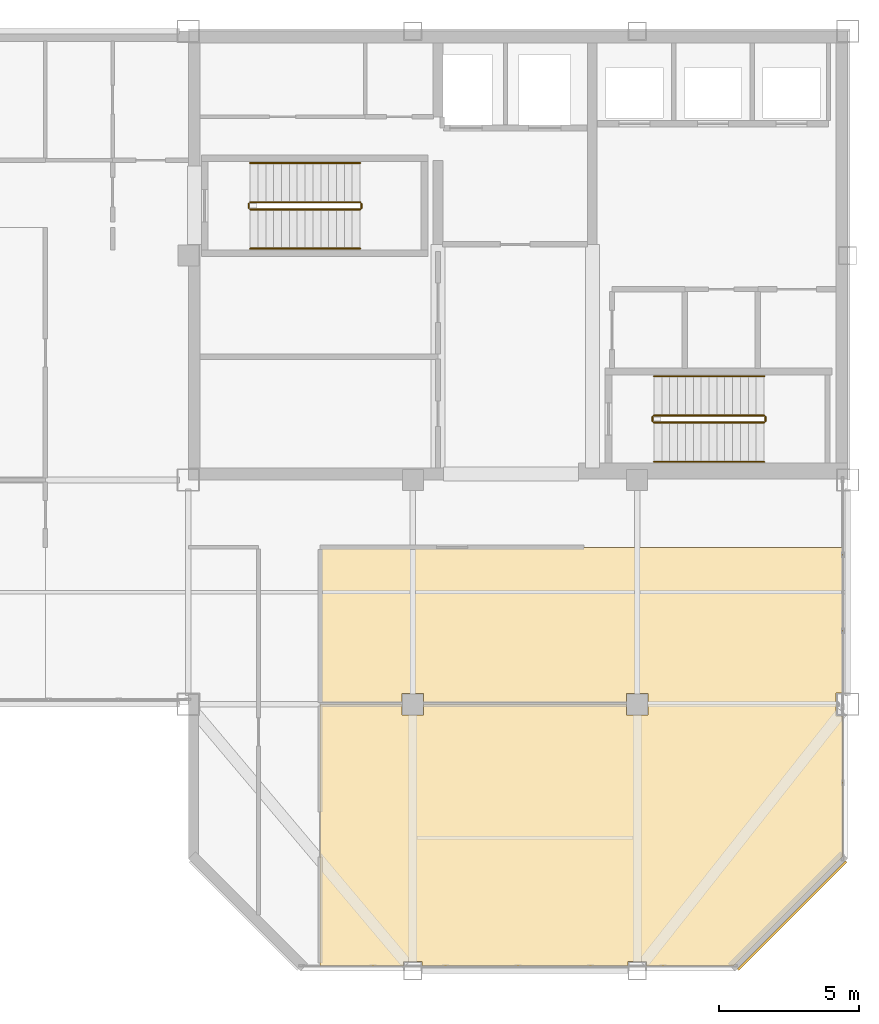
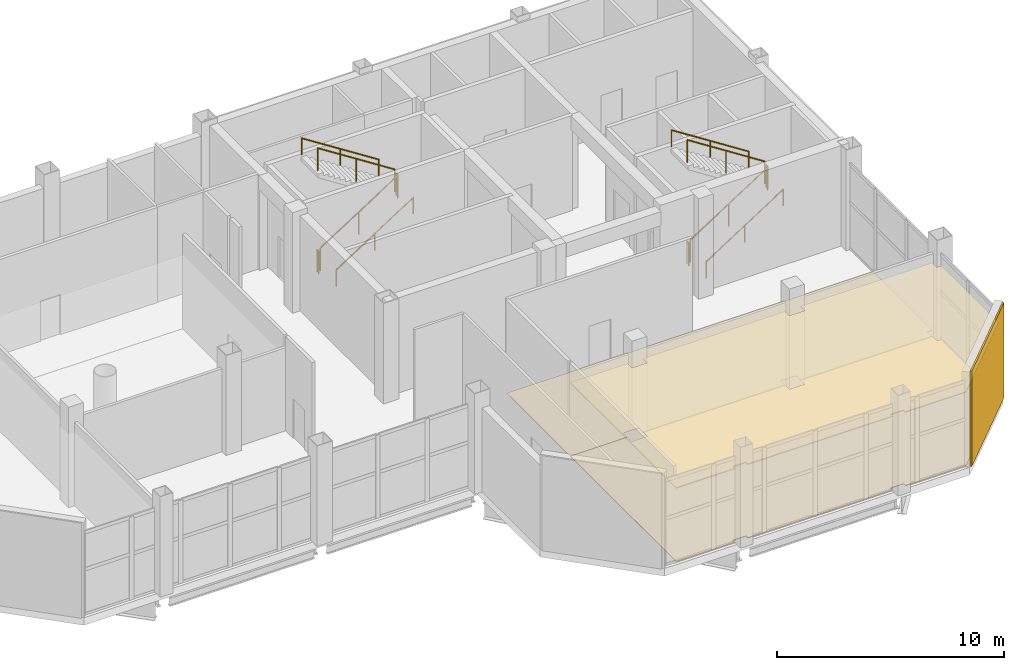
# One storey, part 16 of 17: 12 railings, 4 coverings.
"""IFC4 building model written with IfcOpenShell, lengths in metres."""

from ifc_helpers import new_model, si_unit, direction, frame, origin, origin_2d, place, context, subcontext, project, spatial, polyline, rectangle, circle, outline, extrude, material, layer, layer_set, type_object, element, save


model = new_model("IFC4")

# Units and contexts
model_context = context("Model", 3, precision=1e-05, world=origin(), true_north=direction((0.0, 1.0)))
body_context = subcontext(model_context, "Body", "Model", "MODEL_VIEW")
ifc_project = project(units=[si_unit("LENGTHUNIT", "METRE"), si_unit("AREAUNIT", "SQUARE_METRE"), si_unit("VOLUMEUNIT", "CUBIC_METRE"), si_unit("PLANEANGLEUNIT", "RADIAN"), si_unit("MASSUNIT", "GRAM", prefix="KILO")], contexts=[model_context])

# Site, building, storey
site_placement = place(None, origin())
site = spatial("IfcSite", under=ifc_project, at=site_placement, CompositionType="ELEMENT")
building_placement = place(site_placement, origin())
building = spatial("IfcBuilding", under=site, at=building_placement, Name="Qianrong Seaharbour Tower", CompositionType="ELEMENT")
storey_placement = place(building_placement, frame((0.0, 0.0, 373.0)))
storey = spatial("IfcBuildingStorey", under=building, at=storey_placement, Name="L90", CompositionType="ELEMENT", Elevation=373.0)

# Coverings
ifc_material_1 = material(Name="Perforated acoustic gypsum ceiling board")
ifc_layer_1 = layer(ifc_material_1, 0.050048828125)
ifc_layer_set_1 = layer_set([ifc_layer_1], Name="Perforated acoustic gypsum ceiling board")
covering_type_1 = type_object("IfcCoveringType", Name="COV-CEIL-GYPSUM-50", PredefinedType="CEILING", material=ifc_layer_set_1)
covering_1_placement = place(storey_placement, frame((0.0, 0.0, 3.93994140625)))
element("IfcCovering", 1, at=covering_1_placement, inside=storey, type_object=covering_type_1, Name="L90 Lantern Sky Bistro Acoustic Ceiling", PredefinedType="CEILING", context=body_context, shape_type="SweptSolid", body=[
    extrude(outline(polyline([(63.824951171875, 22.572509765625), (59.927490234375, 18.675048828125), (56.8349609375, 18.675048828125), (56.8349609375, 18.8349609375), (56.1650390625, 18.8349609375), (56.1650390625, 18.675048828125), (48.8349609375, 18.675048828125), (48.8349609375, 18.8349609375), (48.1650390625, 18.8349609375), (48.1650390625, 18.675048828125), (45.199951171875, 18.675048828125), (45.199951171875, 28.0), (48.114990234375, 28.0), (48.114990234375, 27.614990234375), (48.885009765625, 27.614990234375), (48.885009765625, 28.0), (56.114990234375, 28.0), (56.114990234375, 27.614990234375), (56.885009765625, 27.614990234375), (56.885009765625, 28.0), (63.590087890625, 28.0), (63.590087890625, 27.590087890625), (63.824951171875, 27.590087890625), (63.824951171875, 22.572509765625)])), origin(), (0.0, 0.0, 1.0), 0.050048828125),
])
ifc_material_2 = material(Name="Unitised red brick cladding on Precast concrete C45/55", Category="masonry")
ifc_layer_2 = layer(ifc_material_2, 0.080078125)
ifc_layer_set_2 = layer_set([ifc_layer_2], Name="Unitised red brick cladding on Precast concrete C45/55")
covering_type_2 = type_object("IfcCoveringType", Name="COV-CLAD-RED-BRICK-80", PredefinedType="CLADDING", material=ifc_layer_set_2)
covering_2_placement = place(storey_placement, frame((62.0283203125, 20.4716796875, 0.0), z_axis=(0.0, 0.0, 1.0), x_axis=(-0.707106781187, -0.707106781187, 0.0)))
element("IfcCovering", 2, at=covering_2_placement, inside=storey, type_object=covering_type_2, Name="L90 Chamfer Corner Brick Cladding 07", PredefinedType="CLADDING", context=body_context, shape_type="SweptSolid", body=[
    extrude(rectangle(XDim=5.456787109375, YDim=0.080078125, at=origin_2d()), origin(), (0.0, 0.0, 1.0), 5.110107421875),
])
ifc_material_3 = material(Name="Acoustic modular carpet tile flooring")
ifc_layer_3 = layer(ifc_material_3, 0.02001953125)
ifc_layer_set_3 = layer_set([ifc_layer_3], Name="Acoustic modular carpet tile flooring")
covering_type_3 = type_object("IfcCoveringType", Name="COV-FLOOR-CARPET-20", PredefinedType="FLOORING", material=ifc_layer_set_3)
covering_3_placement = place(storey_placement, origin())
element("IfcCovering", 3, at=covering_3_placement, inside=storey, type_object=covering_type_3, Name="L90 Maritime History Briefing Room Finish Flooring", PredefinedType="FLOORING", context=body_context, shape_type="SweptSolid", body=[
    extrude(outline(polyline([(63.824951171875, 33.60009765625), (63.824951171875, 28.409912109375), (63.590087890625, 28.409912109375), (63.590087890625, 28.0), (56.885009765625, 28.0), (56.885009765625, 28.385009765625), (56.114990234375, 28.385009765625), (56.114990234375, 28.0), (48.885009765625, 28.0), (48.885009765625, 28.385009765625), (48.114990234375, 28.385009765625), (48.114990234375, 28.0), (45.199951171875, 28.0), (45.199951171875, 33.60009765625), (63.824951171875, 33.60009765625)])), origin(), (0.0, 0.0, 1.0), 0.02001953125),
])
ifc_material_4 = material(Name="Honed granite stone flooring", Category="masonry")
ifc_layer_4 = layer(ifc_material_4, 0.030029296875)
ifc_layer_set_4 = layer_set([ifc_layer_4], Name="Honed granite stone flooring")
covering_type_4 = type_object("IfcCoveringType", Name="COV-FLOOR-GRANITE-30", PredefinedType="FLOORING", material=ifc_layer_set_4)
covering_4_placement = place(storey_placement, origin())
element("IfcCovering", 4, at=covering_4_placement, inside=storey, type_object=covering_type_4, Name="L90 Lantern Sky Bistro Finish Flooring", PredefinedType="FLOORING", context=body_context, shape_type="SweptSolid", body=[
    extrude(outline(polyline([(63.824951171875, 22.572509765625), (59.927490234375, 18.675048828125), (56.8349609375, 18.675048828125), (56.8349609375, 18.8349609375), (56.1650390625, 18.8349609375), (56.1650390625, 18.675048828125), (48.8349609375, 18.675048828125), (48.8349609375, 18.8349609375), (48.1650390625, 18.8349609375), (48.1650390625, 18.675048828125), (45.199951171875, 18.675048828125), (45.199951171875, 28.0), (48.114990234375, 28.0), (48.114990234375, 27.614990234375), (48.885009765625, 27.614990234375), (48.885009765625, 28.0), (56.114990234375, 28.0), (56.114990234375, 27.614990234375), (56.885009765625, 27.614990234375), (56.885009765625, 28.0), (63.590087890625, 28.0), (63.590087890625, 27.590087890625), (63.824951171875, 27.590087890625), (63.824951171875, 22.572509765625)])), origin(), (0.0, 0.0, 1.0), 0.030029296875),
])

# Railings
ifc_material_5 = material(Name="Galvanized painted steel SN400B stair guard", Category="steel")
railing_type_1 = type_object("IfcRailingType", Name="RAIL-STAIR-GUARD-1220", PredefinedType="GUARDRAIL", material=ifc_material_5)
railing_1_placement = place(storey_placement, frame((42.699951171875, 45.64990234375, 0.179931640625)))
element("IfcRailing", 5, at=railing_1_placement, inside=storey, type_object=railing_type_1, Name="L90 ST-1 stair guard 1", PredefinedType="GUARDRAIL", context=body_context, shape_type="SweptSolid", body=[
    extrude(circle(Radius=0.02392578125, at=origin_2d()), frame((0.0, 0.0, 1.19580078125), z_axis=(0.841186985886, 0.0, 0.540744352514), x_axis=(0.0, 1.0, 0.0)), (0.0, 0.0, 1.0), 4.660400390625),
    extrude(circle(Radius=0.02099609375, at=origin_2d()), origin(), (0.0, 0.0, 1.0), 1.171875),
    extrude(circle(Radius=0.02099609375, at=origin_2d()), frame((1.9599609375, 0.0, 1.260009765625)), (0.0, 0.0, 1.0), 1.171875),
    extrude(circle(Radius=0.02099609375, at=origin_2d()), frame((3.920166015625, 0.0, 2.52001953125)), (0.0, 0.0, 1.0), 1.171875),
])
railing_2_placement = place(storey_placement, frame((46.669921875, 45.699951171875, 2.699951171875)))
element("IfcRailing", 6, at=railing_2_placement, inside=storey, type_object=railing_type_1, Name="L90 ST-1 stair guard 2", PredefinedType="GUARDRAIL", context=body_context, shape_type="SweptSolid", body=[
    extrude(circle(Radius=0.02392578125, at=origin_2d()), frame((0.0, 0.0, 1.19580078125), z_axis=(0.0, 1.0, 0.0), x_axis=(-1.0, 0.0, 0.0)), (0.0, 0.0, 1.0), 0.150146484375),
    extrude(circle(Radius=0.02099609375, at=origin_2d()), origin(), (0.0, 0.0, 1.0), 1.171875),
    extrude(circle(Radius=0.02099609375, at=origin_2d()), frame((0.0, 0.150146484375, 0.0)), (0.0, 0.0, 1.0), 1.171875),
])
railing_3_placement = place(storey_placement, frame((46.6201171875, 45.89990234375, 2.8798828125)))
element("IfcRailing", 7, at=railing_3_placement, inside=storey, type_object=railing_type_1, Name="L90 ST-1 stair guard 3", PredefinedType="GUARDRAIL", context=body_context, shape_type="SweptSolid", body=[
    extrude(circle(Radius=0.02392578125, at=origin_2d()), frame((0.0, 0.0, 1.19580078125), z_axis=(-0.841186985886, 0.0, 0.540744352514), x_axis=(0.0, -1.0, 0.0)), (0.0, 0.0, 1.0), 4.660400390625),
    extrude(circle(Radius=0.02099609375, at=origin_2d()), origin(), (0.0, 0.0, 1.0), 1.171875),
    extrude(circle(Radius=0.02099609375, at=origin_2d()), frame((-1.9599609375, 0.0, 1.260009765625)), (0.0, 0.0, 1.0), 1.171875),
    extrude(circle(Radius=0.02099609375, at=origin_2d()), frame((-3.920166015625, 0.0, 2.52001953125)), (0.0, 0.0, 1.0), 1.171875),
])
railing_4_placement = place(storey_placement, frame((42.64990234375, 45.699951171875, 0.0)))
element("IfcRailing", 8, at=railing_4_placement, inside=storey, type_object=railing_type_1, Name="L90 ST-1 stair guard 4", PredefinedType="GUARDRAIL", context=body_context, shape_type="SweptSolid", body=[
    extrude(circle(Radius=0.02392578125, at=origin_2d()), frame((0.0, 0.0, 1.19580078125), z_axis=(0.0, 1.0, 0.0), x_axis=(-1.0, 0.0, 0.0)), (0.0, 0.0, 1.0), 0.150146484375),
    extrude(circle(Radius=0.02099609375, at=origin_2d()), origin(), (0.0, 0.0, 1.0), 1.171875),
    extrude(circle(Radius=0.02099609375, at=origin_2d()), frame((0.0, 0.150146484375, 0.0)), (0.0, 0.0, 1.0), 1.171875),
])
railing_5_placement = place(storey_placement, frame((57.10009765625, 38.050048828125, 0.179931640625)))
element("IfcRailing", 9, at=railing_5_placement, inside=storey, type_object=railing_type_1, Name="L90 ST-2 stair guard 1", PredefinedType="GUARDRAIL", context=body_context, shape_type="SweptSolid", body=[
    extrude(circle(Radius=0.02392578125, at=origin_2d()), frame((0.0, 0.0, 1.19580078125), z_axis=(0.841171666519, 0.0, 0.540768182723), x_axis=(0.0, 1.0, 0.0)), (0.0, 0.0, 1.0), 4.66015625),
    extrude(circle(Radius=0.02099609375, at=origin_2d()), origin(), (0.0, 0.0, 1.0), 1.171875),
    extrude(circle(Radius=0.02099609375, at=origin_2d()), frame((1.9599609375, 0.0, 1.260009765625)), (0.0, 0.0, 1.0), 1.171875),
    extrude(circle(Radius=0.02099609375, at=origin_2d()), frame((3.919921875, 0.0, 2.52001953125)), (0.0, 0.0, 1.0), 1.171875),
])
railing_6_placement = place(storey_placement, frame((61.070068359375, 38.10009765625, 2.699951171875)))
element("IfcRailing", 10, at=railing_6_placement, inside=storey, type_object=railing_type_1, Name="L90 ST-2 stair guard 2", PredefinedType="GUARDRAIL", context=body_context, shape_type="SweptSolid", body=[
    extrude(circle(Radius=0.02392578125, at=origin_2d()), frame((0.0, 0.0, 1.19580078125), z_axis=(0.0, 1.0, 0.0), x_axis=(-1.0, 0.0, 0.0)), (0.0, 0.0, 1.0), 0.14990234375),
    extrude(circle(Radius=0.02099609375, at=origin_2d()), origin(), (0.0, 0.0, 1.0), 1.171875),
    extrude(circle(Radius=0.02099609375, at=origin_2d()), frame((0.0, 0.14990234375, 0.0)), (0.0, 0.0, 1.0), 1.171875),
])
railing_7_placement = place(storey_placement, frame((61.02001953125, 38.300048828125, 2.8798828125)))
element("IfcRailing", 11, at=railing_7_placement, inside=storey, type_object=railing_type_1, Name="L90 ST-2 stair guard 3", PredefinedType="GUARDRAIL", context=body_context, shape_type="SweptSolid", body=[
    extrude(circle(Radius=0.02392578125, at=origin_2d()), frame((0.0, 0.0, 1.19580078125), z_axis=(-0.841171666519, 0.0, 0.540768182723), x_axis=(0.0, -1.0, 0.0)), (0.0, 0.0, 1.0), 4.66015625),
    extrude(circle(Radius=0.02099609375, at=origin_2d()), origin(), (0.0, 0.0, 1.0), 1.171875),
    extrude(circle(Radius=0.02099609375, at=origin_2d()), frame((-1.9599609375, 0.0, 1.260009765625)), (0.0, 0.0, 1.0), 1.171875),
    extrude(circle(Radius=0.02099609375, at=origin_2d()), frame((-3.919921875, 0.0, 2.52001953125)), (0.0, 0.0, 1.0), 1.171875),
])
railing_8_placement = place(storey_placement, frame((57.050048828125, 38.10009765625, 0.0)))
element("IfcRailing", 12, at=railing_8_placement, inside=storey, type_object=railing_type_1, Name="L90 ST-2 stair guard 4", PredefinedType="GUARDRAIL", context=body_context, shape_type="SweptSolid", body=[
    extrude(circle(Radius=0.02392578125, at=origin_2d()), frame((0.0, 0.0, 1.19580078125), z_axis=(0.0, 1.0, 0.0), x_axis=(-1.0, 0.0, 0.0)), (0.0, 0.0, 1.0), 0.14990234375),
    extrude(circle(Radius=0.02099609375, at=origin_2d()), origin(), (0.0, 0.0, 1.0), 1.171875),
    extrude(circle(Radius=0.02099609375, at=origin_2d()), frame((0.0, 0.14990234375, 0.0)), (0.0, 0.0, 1.0), 1.171875),
])
ifc_material_6 = material(Name="Stainless steel SUS316L continuous handrail", Category="steel")
railing_type_2 = type_object("IfcRailingType", Name="RAIL-STAIR-HANDRAIL-900", PredefinedType="HANDRAIL", material=ifc_material_6)
railing_9_placement = place(storey_placement, frame((42.699951171875, 44.25, 0.179931640625)))
element("IfcRailing", 13, at=railing_9_placement, inside=storey, type_object=railing_type_2, Name="L90 ST-1 stair handrail 1", PredefinedType="HANDRAIL", context=body_context, shape_type="SweptSolid", body=[
    extrude(circle(Radius=0.02392578125, at=origin_2d()), frame((0.0, 0.0, 0.8759765625), z_axis=(0.841186985886, 0.0, 0.540744352514), x_axis=(0.0, 1.0, 0.0)), (0.0, 0.0, 1.0), 4.660400390625),
    extrude(circle(Radius=0.02099609375, at=origin_2d()), origin(), (0.0, 0.0, 1.0), 0.851806640625),
    extrude(circle(Radius=0.02099609375, at=origin_2d()), frame((1.9599609375, 0.0, 1.260009765625)), (0.0, 0.0, 1.0), 0.851806640625),
    extrude(circle(Radius=0.02099609375, at=origin_2d()), frame((3.920166015625, 0.0, 2.52001953125)), (0.0, 0.0, 1.0), 0.851806640625),
])
railing_10_placement = place(storey_placement, frame((46.6201171875, 47.300048828125, 2.8798828125)))
element("IfcRailing", 14, at=railing_10_placement, inside=storey, type_object=railing_type_2, Name="L90 ST-1 stair handrail 2", PredefinedType="HANDRAIL", context=body_context, shape_type="SweptSolid", body=[
    extrude(circle(Radius=0.02392578125, at=origin_2d()), frame((0.0, 0.0, 0.8759765625), z_axis=(-0.841186985886, 0.0, 0.540744352514), x_axis=(0.0, -1.0, 0.0)), (0.0, 0.0, 1.0), 4.660400390625),
    extrude(circle(Radius=0.02099609375, at=origin_2d()), origin(), (0.0, 0.0, 1.0), 0.851806640625),
    extrude(circle(Radius=0.02099609375, at=origin_2d()), frame((-1.9599609375, 0.0, 1.260009765625)), (0.0, 0.0, 1.0), 0.851806640625),
    extrude(circle(Radius=0.02099609375, at=origin_2d()), frame((-3.920166015625, 0.0, 2.52001953125)), (0.0, 0.0, 1.0), 0.851806640625),
])
railing_11_placement = place(storey_placement, frame((57.10009765625, 36.64990234375, 0.179931640625)))
element("IfcRailing", 15, at=railing_11_placement, inside=storey, type_object=railing_type_2, Name="L90 ST-2 stair handrail 1", PredefinedType="HANDRAIL", context=body_context, shape_type="SweptSolid", body=[
    extrude(circle(Radius=0.02392578125, at=origin_2d()), frame((0.0, 0.0, 0.8759765625), z_axis=(0.841171666519, 0.0, 0.540768182723), x_axis=(0.0, 1.0, 0.0)), (0.0, 0.0, 1.0), 4.66015625),
    extrude(circle(Radius=0.02099609375, at=origin_2d()), origin(), (0.0, 0.0, 1.0), 0.851806640625),
    extrude(circle(Radius=0.02099609375, at=origin_2d()), frame((1.9599609375, 0.0, 1.260009765625)), (0.0, 0.0, 1.0), 0.851806640625),
    extrude(circle(Radius=0.02099609375, at=origin_2d()), frame((3.919921875, 0.0, 2.52001953125)), (0.0, 0.0, 1.0), 0.851806640625),
])
railing_12_placement = place(storey_placement, frame((61.02001953125, 39.699951171875, 2.8798828125)))
element("IfcRailing", 16, at=railing_12_placement, inside=storey, type_object=railing_type_2, Name="L90 ST-2 stair handrail 2", PredefinedType="HANDRAIL", context=body_context, shape_type="SweptSolid", body=[
    extrude(circle(Radius=0.02392578125, at=origin_2d()), frame((0.0, 0.0, 0.8759765625), z_axis=(-0.841171666519, 0.0, 0.540768182723), x_axis=(0.0, -1.0, 0.0)), (0.0, 0.0, 1.0), 4.66015625),
    extrude(circle(Radius=0.02099609375, at=origin_2d()), origin(), (0.0, 0.0, 1.0), 0.851806640625),
    extrude(circle(Radius=0.02099609375, at=origin_2d()), frame((-1.9599609375, 0.0, 1.260009765625)), (0.0, 0.0, 1.0), 0.851806640625),
    extrude(circle(Radius=0.02099609375, at=origin_2d()), frame((-3.919921875, 0.0, 2.52001953125)), (0.0, 0.0, 1.0), 0.851806640625),
])

save(model, "model.ifc")
